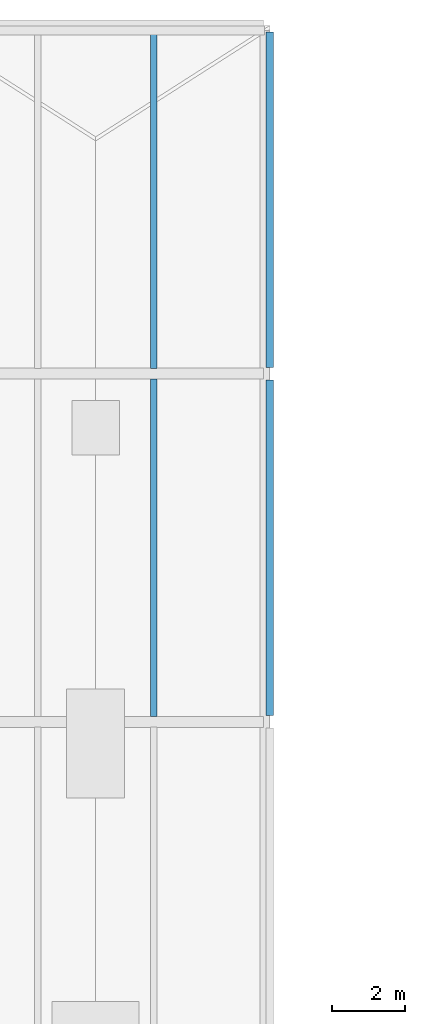
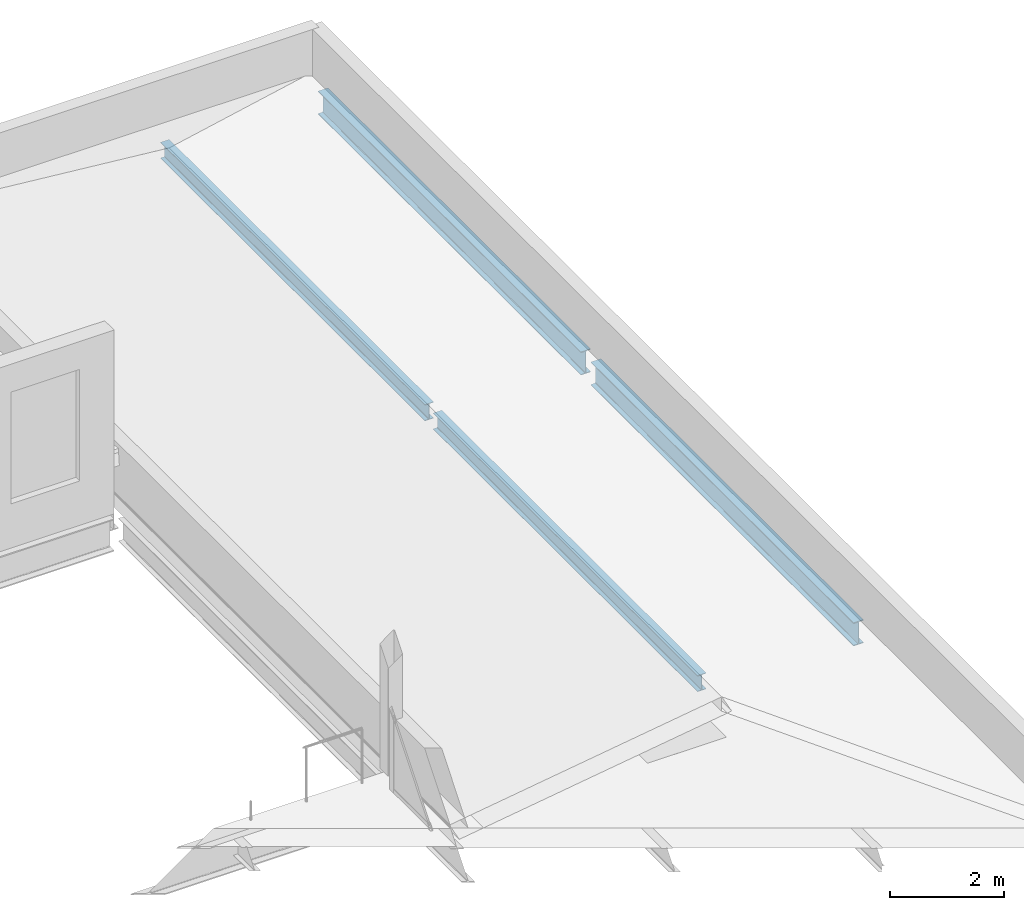
# One storey, part 71 of 112: 4 beams.
"""IFC4 building model written with IfcOpenShell, lengths in metres."""

import ifcopenshell
import ifcopenshell.guid

model = None  # the IFC model being written
_history = None  # IfcOwnerHistory: only IFC2X3 demands one
_inside = {}  # id of a spatial element -> (the spatial element, [elements in it])
_under = {}  # id of a project, library or spatial element -> (it, [spatial elements below it])
_declared = {}  # id of a project -> (the project, [libraries it declares])
_typed = {}  # id of a type object -> (the type object, [elements of that type])
_made_of = {}  # id of a material, layer set ... -> (it, [elements and type objects made of it])


def new_model(schema):
    """Start an empty IFC model of exactly this schema.

    Asked for "IFC4X3", IfcOpenShell would pick the latest addendum, in which some entities
    have other attributes; the version numbers below select the first issue.
    IFC2X3 requires an IfcOwnerHistory on every rooted entity: one is made here for all.
    """
    global model, _history
    if schema == "IFC4X3":
        model = ifcopenshell.file(schema_version=(4, 3, 0, 0))
    else:
        model = ifcopenshell.file(schema=schema)
    _inside.clear()
    _under.clear()
    _declared.clear()
    _typed.clear()
    _made_of.clear()
    _history = None
    if model.schema == "IFC2X3":
        org = make("IfcOrganization", Name="unknown")
        user = make(
            "IfcPersonAndOrganization",
            ThePerson=make("IfcPerson", FamilyName="unknown"),
            TheOrganization=org,
        )
        app = make(
            "IfcApplication",
            ApplicationDeveloper=org,
            Version="unknown",
            ApplicationFullName="unknown",
            ApplicationIdentifier="unknown",
        )
        _history = make(
            "IfcOwnerHistory",
            OwningUser=user,
            OwningApplication=app,
            ChangeAction="ADDED",
            CreationDate=0,
        )
    return model


def make(cls, **values):
    """One entity of the class cls with the attributes given. An attribute that is None is left unset."""
    return model.create_entity(
        cls, **{name: value for name, value in values.items() if value is not None}
    )


def rooted(cls, **values):
    """An entity with a GlobalId (a new one), such as an element, a storey or a relation."""
    return make(cls, GlobalId=ifcopenshell.guid.new(), OwnerHistory=_history, **values)


def si_unit(unit_type, name, prefix=None):
    """IfcSIUnit, for example si_unit("LENGTHUNIT", "METRE", prefix="MILLI")."""
    return make("IfcSIUnit", UnitType=unit_type, Prefix=prefix, Name=name)


def assignment(units):
    """IfcUnitAssignment: the units of a project."""
    return None if units is None else make("IfcUnitAssignment", Units=units)


def point(xyz):
    """IfcCartesianPoint."""
    return None if xyz is None else make("IfcCartesianPoint", Coordinates=xyz)


def direction(xyz):
    """IfcDirection."""
    return None if xyz is None else make("IfcDirection", DirectionRatios=xyz)


def frame(location, z_axis=None, x_axis=None):
    """IfcAxis2Placement3D, a coordinate frame: its origin and axes. An axis left out is left unset."""
    return make(
        "IfcAxis2Placement3D",
        Location=point(location),
        Axis=direction(z_axis),
        RefDirection=direction(x_axis),
    )


def frame_2d(location, x_axis=None):
    """IfcAxis2Placement2D, a coordinate frame in the plane: its origin and x axis."""
    return make(
        "IfcAxis2Placement2D", Location=point(location), RefDirection=direction(x_axis)
    )


def origin():
    """The frame at (0, 0, 0) with its axes left unset."""
    return frame((0.0, 0.0, 0.0))


def origin_2d():
    """The frame at (0, 0) in the plane with its x axis left unset."""
    return frame_2d((0.0, 0.0))


def place(relative_to, where):
    """IfcLocalPlacement: puts the frame where relative to a parent placement (None: the world)."""
    return make(
        "IfcLocalPlacement", PlacementRelTo=relative_to, RelativePlacement=where
    )


def context(
    kind, dimensions, precision=None, world=None, true_north=None, identifier=None
):
    """IfcGeometricRepresentationContext, for example the 3D "Model" context."""
    return make(
        "IfcGeometricRepresentationContext",
        ContextIdentifier=identifier,
        ContextType=kind,
        CoordinateSpaceDimension=dimensions,
        Precision=precision,
        WorldCoordinateSystem=world,
        TrueNorth=true_north,
    )


def subcontext(parent, identifier, kind, view, scale=None):
    """IfcGeometricRepresentationSubContext, for example "Body" below "Model"."""
    return make(
        "IfcGeometricRepresentationSubContext",
        ContextIdentifier=identifier,
        ContextType=kind,
        ParentContext=parent,
        TargetScale=scale,
        TargetView=view,
    )


def project(units=None, contexts=None):
    """IfcProject with its units and contexts."""
    return rooted(
        "IfcProject",
        Name="project",
        RepresentationContexts=contexts,
        UnitsInContext=assignment(units),
    )


def spatial(cls, under=None, at=None, **own):
    """A site, building, storey or space (cls), placed at a placement, below another one or the project."""
    s = rooted(cls, ObjectPlacement=at, **own)
    if under is not None:
        _under.setdefault(under.id(), (under, []))[1].append(s)
    return s


def profile(cls, at=None, kind="AREA", **sizes):
    """A parametric profile (cls). Its sizes go by their IFC names, for example OverallWidth=200.0."""
    return make(cls, ProfileType=kind, Position=at, **sizes)


def i_section(**sizes):
    """IfcIShapeProfileDef."""
    return profile("IfcIShapeProfileDef", **sizes)


def extrude(swept, where, along, depth):
    """IfcExtrudedAreaSolid: the profile swept, set in the frame where, extruded along a direction by depth."""
    return make(
        "IfcExtrudedAreaSolid",
        SweptArea=swept,
        Position=where,
        ExtrudedDirection=direction(along),
        Depth=depth,
    )


def shape(context_of_items, identifier, shape_type, items):
    """IfcShapeRepresentation: the items that make up one representation, for example the "Body"."""
    return make(
        "IfcShapeRepresentation",
        ContextOfItems=context_of_items,
        RepresentationIdentifier=identifier,
        RepresentationType=shape_type,
        Items=items,
    )


def material(Name=None, Category=None):
    """IfcMaterial."""
    return make("IfcMaterial", Name=Name, Category=Category)


def material_profile(
    of_material, cross_section, Name=None, Category=None, Priority=None
):
    """IfcMaterialProfile: a cross section and its material."""
    return make(
        "IfcMaterialProfile",
        Name=Name,
        Material=of_material,
        Profile=cross_section,
        Priority=Priority,
        Category=Category,
    )


def profile_set(profiles, Name=None, composite=None):
    """IfcMaterialProfileSet."""
    return make(
        "IfcMaterialProfileSet",
        Name=Name,
        MaterialProfiles=profiles,
        CompositeProfile=composite,
    )


def made_of(thing, what):
    """Note that an element or type object is made of a material, layer set ...; save() writes the relation."""
    if what is not None:
        _made_of.setdefault(what.id(), (what, []))[1].append(thing)
    return thing


def type_object(cls, material=None, **own):
    """A type object (cls), such as IfcWallType, which elements share."""
    return made_of(rooted(cls, **own), material)


def element(
    cls,
    number,
    at=None,
    inside=None,
    cuts=None,
    type_object=None,
    material=None,
    context=None,
    identifier="Body",
    shape_type=None,
    held_by="IfcProductDefinitionShape",
    body=None,
    shapes=None,
    **own,
):
    """One element of the class cls, such as IfcWall. Its Tag is "e" and its number.

    at: its placement. inside: the storey or other place that contains it. cuts: it is an
    opening in that element (IfcRelVoidsElement). A single representation is given by context,
    identifier, shape_type and body (its items); several are given by shapes. held_by: the class
    of the entity that holds the representations. save() writes the other relations.
    """
    e = rooted(cls, Tag="e%d" % number, ObjectPlacement=at, **own)
    if body is not None:
        shapes = [shape(context, identifier, shape_type, body)]
    if shapes is not None:
        e.Representation = make(held_by, Representations=shapes)
    if inside is not None:
        _inside.setdefault(inside.id(), (inside, []))[1].append(e)
    if cuts is not None:
        rooted(
            "IfcRelVoidsElement", RelatingBuildingElement=cuts, RelatedOpeningElement=e
        )
    if type_object is not None:
        _typed.setdefault(type_object.id(), (type_object, []))[1].append(e)
    return made_of(e, material)


def aggregate(whole, parts):
    """IfcRelAggregates: a whole, such as a stair, and the parts it consists of."""
    return rooted("IfcRelAggregates", RelatingObject=whole, RelatedObjects=parts)


def save(model, path):
    """Write the relations noted so far, then the file.

    IfcRelAggregates (storeys below a building ...), IfcRelContainedInSpatialStructure (elements
    in a storey), IfcRelDefinesByType, IfcRelAssociatesMaterial and IfcRelDeclares: one each for
    every whole, place, type object, material and project.
    """
    for whole, parts in _under.values():
        aggregate(whole, parts)
    for where, things in _inside.values():
        rooted(
            "IfcRelContainedInSpatialStructure",
            RelatedElements=things,
            RelatingStructure=where,
        )
    for kind, things in _typed.values():
        rooted("IfcRelDefinesByType", RelatedObjects=things, RelatingType=kind)
    for what, things in _made_of.values():
        rooted("IfcRelAssociatesMaterial", RelatedObjects=things, RelatingMaterial=what)
    for by, libraries in _declared.values():
        rooted("IfcRelDeclares", RelatingContext=by, RelatedDefinitions=libraries)
    model.write(path)


model = new_model("IFC4")

# Units and contexts
model_context = context("Model", 3, precision=1e-05, world=origin(), true_north=direction((0.0, 1.0)))
body_context = subcontext(model_context, "Body", "Model", "MODEL_VIEW")
ifc_project = project(units=[si_unit("LENGTHUNIT", "METRE"), si_unit("AREAUNIT", "SQUARE_METRE"), si_unit("VOLUMEUNIT", "CUBIC_METRE"), si_unit("PLANEANGLEUNIT", "RADIAN"), si_unit("MASSUNIT", "GRAM", prefix="KILO")], contexts=[model_context])

# Site, building, storey
site_placement = place(None, origin())
site = spatial("IfcSite", under=ifc_project, at=site_placement, CompositionType="ELEMENT")
building_placement = place(site_placement, origin())
building = spatial("IfcBuilding", under=site, at=building_placement, Name="Yeouljin Market Hall", CompositionType="ELEMENT")
storey_placement = place(building_placement, frame((0.0, 0.0, 6.0)))
storey = spatial("IfcBuildingStorey", under=building, at=storey_placement, Name="L01", CompositionType="ELEMENT", Elevation=6.0)

# Beams
ifc_material_1 = material(Name="Steel SM355", Category="steel")
ifc_material_profile_1 = material_profile(ifc_material_1, i_section(OverallWidth=0.199951171875, OverallDepth=0.5, WebThickness=0.010009765625, FlangeThickness=0.01611328125, FilletRadius=0.02001953125, at=origin_2d()), Name="H-500x200x10x16")
ifc_profile_set_1 = profile_set([ifc_material_profile_1], Name="Steel SM355")
beam_type_1 = type_object("IfcBeamType", Name="Beam_H-500x200x10x16", PredefinedType="BEAM", material=ifc_profile_set_1)
for number, where, z_axis, x_axis, name in (
    (1, (131.39990234375, 98.574951171875, -0.530029296875), (0.0, 1.0, 0.0), (-1.0, 0.0, 0.0), "Primary beam BM-L01-Y205"),
    (2, (131.39990234375, 108.175048828125, -0.530029296875), (0.0, 1.0, 0.0), (-1.0, 0.0, 0.0), "Primary beam BM-L01-Y206"),
):
    element("IfcBeam", number, at=place(storey_placement, frame(where, z_axis=z_axis, x_axis=x_axis)), inside=storey, type_object=beam_type_1, Name=name, PredefinedType="BEAM", context=body_context, shape_type="SweptSolid", body=[
        extrude(i_section(OverallWidth=0.199951171875, OverallDepth=0.5, WebThickness=0.010009765625, FlangeThickness=0.01611328125, FilletRadius=0.02001953125, at=origin_2d()), origin(), (0.0, 0.0, 1.0), 9.25),
    ])
ifc_material_2 = material(Name="Steel SM355", Category="steel")
ifc_material_profile_2 = material_profile(ifc_material_2, i_section(OverallWidth=0.175048828125, OverallDepth=0.35009765625, WebThickness=0.007080078125, FlangeThickness=0.010986328125, FilletRadius=0.013916015625, at=origin_2d()), Name="H-350x175x7x11")
ifc_profile_set_2 = profile_set([ifc_material_profile_2], Name="Steel SM355")
beam_type_2 = type_object("IfcBeamType", Name="Joist_H-350x175x7x11", PredefinedType="JOIST", material=ifc_profile_set_2)
for number, where, z_axis, x_axis, name in (
    (3, (128.199951171875, 98.547119140625, -0.455078125), (0.0, 1.0, 0.0), (-1.0, 0.0, 0.0), "Secondary floor joist L01-091"),
    (4, (128.199951171875, 108.14697265625, -0.455078125), (0.0, 1.0, 0.0), (-1.0, 0.0, 0.0), "Secondary floor joist L01-093"),
):
    element("IfcBeam", number, at=place(storey_placement, frame(where, z_axis=z_axis, x_axis=x_axis)), inside=storey, type_object=beam_type_2, Name=name, PredefinedType="JOIST", context=body_context, shape_type="SweptSolid", body=[
        extrude(i_section(OverallWidth=0.175048828125, OverallDepth=0.35009765625, WebThickness=0.007080078125, FlangeThickness=0.010986328125, FilletRadius=0.013916015625, at=origin_2d()), origin(), (0.0, 0.0, 1.0), 9.305908203125),
    ])

save(model, "model.ifc")
